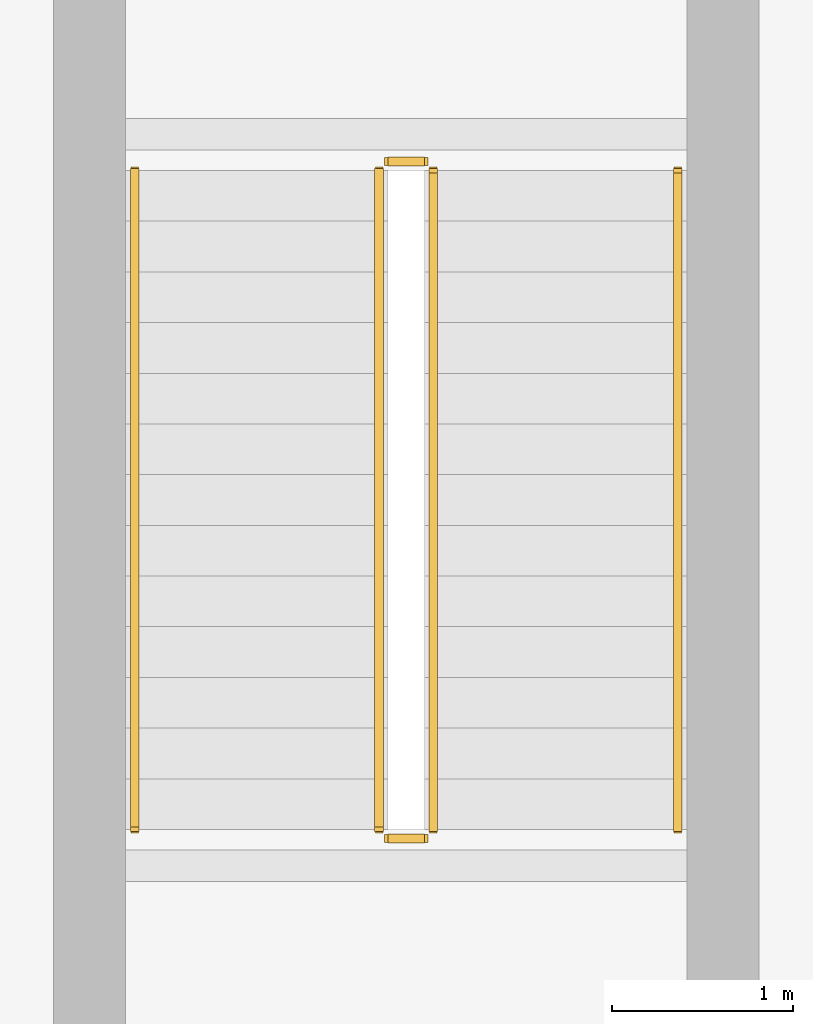
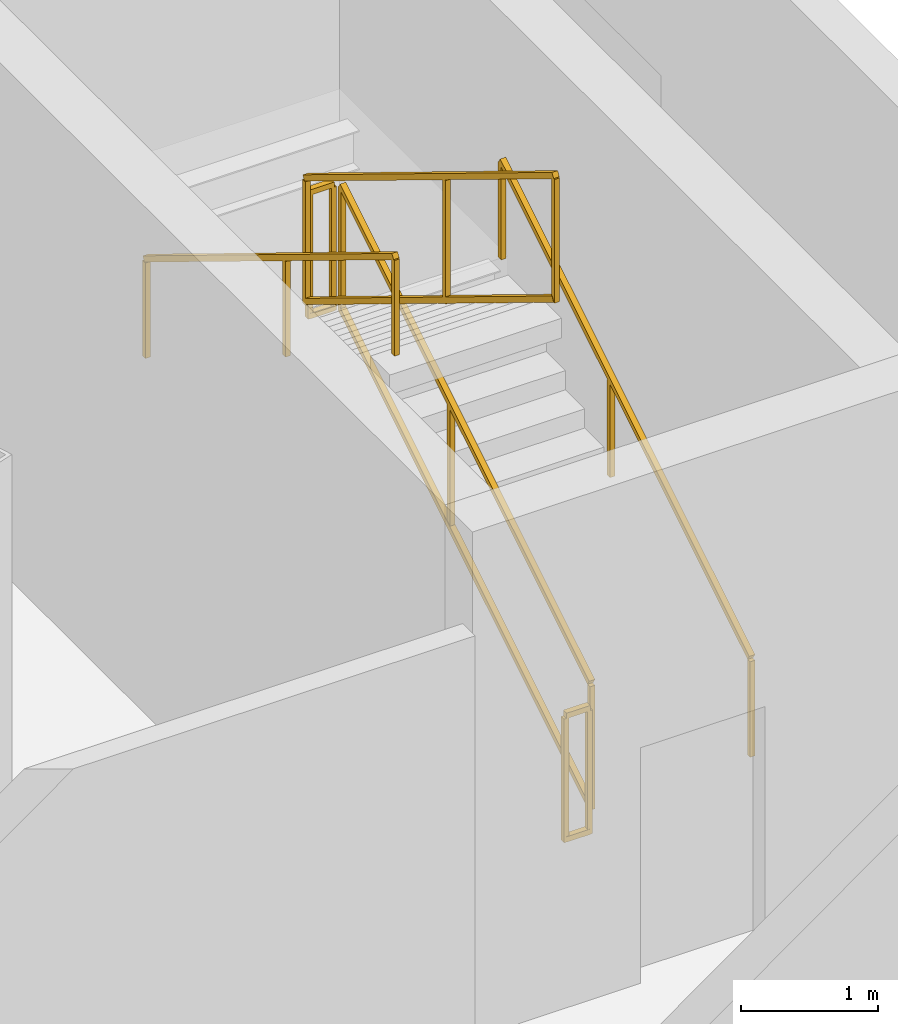
# One storey, part 41 of 42: 6 railings.
"""IFC4 building model written with IfcOpenShell, lengths in metres."""

from ifc_helpers import new_model, si_unit, direction, frame, origin, origin_2d, place, context, subcontext, project, spatial, rectangle, extrude, material, type_object, element, save


model = new_model("IFC4")

# Units and contexts
model_context = context("Model", 3, precision=1e-05, world=origin(), true_north=direction((0.0, 1.0)))
body_context = subcontext(model_context, "Body", "Model", "MODEL_VIEW")
ifc_project = project(units=[si_unit("LENGTHUNIT", "METRE"), si_unit("AREAUNIT", "SQUARE_METRE"), si_unit("VOLUMEUNIT", "CUBIC_METRE"), si_unit("PLANEANGLEUNIT", "RADIAN"), si_unit("MASSUNIT", "GRAM", prefix="KILO"), si_unit("THERMODYNAMICTEMPERATUREUNIT", "KELVIN"), si_unit("POWERUNIT", "WATT")], contexts=[model_context])

# Site, building, storey
site_placement = place(None, origin())
site = spatial("IfcSite", under=ifc_project, at=site_placement, CompositionType="ELEMENT")
building_placement = place(site_placement, origin())
building = spatial("IfcBuilding", under=site, at=building_placement, Name="Yunzhuo Pagoda Commons", CompositionType="ELEMENT")
storey_placement = place(building_placement, frame((0.0, 0.0, 4.800048828125)))
storey = spatial("IfcBuildingStorey", under=building, at=storey_placement, Name="L02", CompositionType="ELEMENT", Elevation=4.800048828125)

# Railings
ifc_material = material(Name="Anodized aluminium 6063-T6", Category="aluminium")
railing_type_1 = type_object("IfcRailingType", Name="GR-PS4 Podium Well Guardrail 1165", PredefinedType="GUARDRAIL", material=ifc_material)
railing_1_placement = place(storey_placement, frame((88.39990234375, 44.300048828125, 0.17138671875)))
element("IfcRailing", 1, at=railing_1_placement, inside=storey, type_object=railing_type_1, Name="L02 PS4 stair guard 1", PredefinedType="GUARDRAIL", context=body_context, shape_type="SweptSolid", body=[
    extrude(rectangle(XDim=0.048095703125, YDim=0.048095703125, at=origin_2d()), frame((0.0, 0.0, 1.1259765625), z_axis=(0.0, 0.852850264322, 0.5221555579), x_axis=(-1.0, 0.0, 0.0)), (0.0, 0.0, 1.0), 4.267822265625),
    extrude(rectangle(XDim=0.048095703125, YDim=0.048095703125, at=origin_2d()), frame((0.0, 0.0, 0.02392578125), z_axis=(0.0, 0.852850264322, 0.5221555579), x_axis=(-1.0, 0.0, 0.0)), (0.0, 0.0, 1.0), 4.267822265625),
    extrude(rectangle(XDim=0.0419921875, YDim=0.0419921875, at=origin_2d()), origin(), (0.0, 0.0, 1.0), 1.101806640625),
    extrude(rectangle(XDim=0.0419921875, YDim=0.0419921875, at=origin_2d()), frame((0.0, 2.046875, 1.253173828125)), (0.0, 0.0, 1.0), 1.101806640625),
    extrude(rectangle(XDim=0.0419921875, YDim=0.0419921875, at=origin_2d()), frame((0.0, 3.639892578125, 2.228515625)), (0.0, 0.0, 1.0), 1.101806640625),
])
railing_2_placement = place(storey_placement, frame((88.35009765625, 47.989990234375, 2.39990234375)))
element("IfcRailing", 2, at=railing_2_placement, inside=storey, type_object=railing_type_1, Name="L02 PS4 stair guard 2", PredefinedType="GUARDRAIL", context=body_context, shape_type="SweptSolid", body=[
    extrude(rectangle(XDim=0.048095703125, YDim=0.048095703125, at=origin_2d()), frame((0.0, 0.0, 1.1259765625), z_axis=(-1.0, 0.0, 0.0), x_axis=(0.0, -1.0, 0.0)), (0.0, 0.0, 1.0), 0.2001953125),
    extrude(rectangle(XDim=0.048095703125, YDim=0.048095703125, at=origin_2d()), frame((0.0, 0.0, 0.02392578125), z_axis=(-1.0, 0.0, 0.0), x_axis=(0.0, -1.0, 0.0)), (0.0, 0.0, 1.0), 0.2001953125),
    extrude(rectangle(XDim=0.0419921875, YDim=0.0419921875, at=origin_2d()), origin(), (0.0, 0.0, 1.0), 1.101806640625),
    extrude(rectangle(XDim=0.0419921875, YDim=0.0419921875, at=origin_2d()), frame((-0.2001953125, 0.0, 0.0)), (0.0, 0.0, 1.0), 1.101806640625),
])
railing_3_placement = place(storey_placement, frame((88.10009765625, 47.93994140625, 2.5712890625)))
element("IfcRailing", 3, at=railing_3_placement, inside=storey, type_object=railing_type_1, Name="L02 PS4 stair guard 3", PredefinedType="GUARDRAIL", context=body_context, shape_type="SweptSolid", body=[
    extrude(rectangle(XDim=0.048095703125, YDim=0.048095703125, at=origin_2d()), frame((0.0, 0.0, 1.1259765625), z_axis=(0.0, -0.852824790078, 0.522197163366), x_axis=(1.0, 0.0, 0.0)), (0.0, 0.0, 1.0), 4.26806640625),
    extrude(rectangle(XDim=0.048095703125, YDim=0.048095703125, at=origin_2d()), frame((0.0, 0.0, 0.02392578125), z_axis=(0.0, -0.852824790078, 0.522197163366), x_axis=(1.0, 0.0, 0.0)), (0.0, 0.0, 1.0), 4.26806640625),
    extrude(rectangle(XDim=0.0419921875, YDim=0.0419921875, at=origin_2d()), origin(), (0.0, 0.0, 1.0), 1.101806640625),
    extrude(rectangle(XDim=0.0419921875, YDim=0.0419921875, at=origin_2d()), frame((0.0, -2.046875, 1.253173828125)), (0.0, 0.0, 1.0), 1.101806640625),
    extrude(rectangle(XDim=0.0419921875, YDim=0.0419921875, at=origin_2d()), frame((0.0, -3.639892578125, 2.228759765625)), (0.0, 0.0, 1.0), 1.101806640625),
])
railing_4_placement = place(storey_placement, frame((88.35009765625, 44.25, 0.0)))
element("IfcRailing", 4, at=railing_4_placement, inside=storey, type_object=railing_type_1, Name="L02 PS4 stair guard 4", PredefinedType="GUARDRAIL", context=body_context, shape_type="SweptSolid", body=[
    extrude(rectangle(XDim=0.048095703125, YDim=0.048095703125, at=origin_2d()), frame((0.0, 0.0, 1.1259765625), z_axis=(-1.0, 0.0, 0.0), x_axis=(0.0, -1.0, 0.0)), (0.0, 0.0, 1.0), 0.2001953125),
    extrude(rectangle(XDim=0.048095703125, YDim=0.048095703125, at=origin_2d()), frame((0.0, 0.0, 0.02392578125), z_axis=(-1.0, 0.0, 0.0), x_axis=(0.0, -1.0, 0.0)), (0.0, 0.0, 1.0), 0.2001953125),
    extrude(rectangle(XDim=0.0419921875, YDim=0.0419921875, at=origin_2d()), origin(), (0.0, 0.0, 1.0), 1.101806640625),
    extrude(rectangle(XDim=0.0419921875, YDim=0.0419921875, at=origin_2d()), frame((-0.2001953125, 0.0, 0.0)), (0.0, 0.0, 1.0), 1.101806640625),
])
railing_type_2 = type_object("IfcRailingType", Name="HR-PS4 Podium Stair Handrail 900", PredefinedType="HANDRAIL", material=ifc_material)
railing_5_placement = place(storey_placement, frame((89.75, 44.300048828125, 0.17138671875)))
element("IfcRailing", 5, at=railing_5_placement, inside=storey, type_object=railing_type_2, Name="L02 PS4 stair handrail 1", PredefinedType="HANDRAIL", context=body_context, shape_type="SweptSolid", body=[
    extrude(rectangle(XDim=0.048095703125, YDim=0.048095703125, at=origin_2d()), frame((0.0, 0.0, 0.8759765625), z_axis=(0.0, 0.852850264322, 0.5221555579), x_axis=(-1.0, 0.0, 0.0)), (0.0, 0.0, 1.0), 4.267822265625),
    extrude(rectangle(XDim=0.0419921875, YDim=0.0419921875, at=origin_2d()), origin(), (0.0, 0.0, 1.0), 0.851806640625),
    extrude(rectangle(XDim=0.0419921875, YDim=0.0419921875, at=origin_2d()), frame((0.0, 2.046875, 1.253173828125)), (0.0, 0.0, 1.0), 0.851806640625),
    extrude(rectangle(XDim=0.0419921875, YDim=0.0419921875, at=origin_2d()), frame((0.0, 3.639892578125, 2.228515625)), (0.0, 0.0, 1.0), 0.851806640625),
])
railing_6_placement = place(storey_placement, frame((86.75, 47.93994140625, 2.5712890625)))
element("IfcRailing", 6, at=railing_6_placement, inside=storey, type_object=railing_type_2, Name="L02 PS4 stair handrail 2", PredefinedType="HANDRAIL", context=body_context, shape_type="SweptSolid", body=[
    extrude(rectangle(XDim=0.048095703125, YDim=0.048095703125, at=origin_2d()), frame((0.0, 0.0, 0.8759765625), z_axis=(0.0, -0.852824790078, 0.522197163366), x_axis=(1.0, 0.0, 0.0)), (0.0, 0.0, 1.0), 4.26806640625),
    extrude(rectangle(XDim=0.0419921875, YDim=0.0419921875, at=origin_2d()), origin(), (0.0, 0.0, 1.0), 0.851806640625),
    extrude(rectangle(XDim=0.0419921875, YDim=0.0419921875, at=origin_2d()), frame((0.0, -2.046875, 1.253173828125)), (0.0, 0.0, 1.0), 0.851806640625),
    extrude(rectangle(XDim=0.0419921875, YDim=0.0419921875, at=origin_2d()), frame((0.0, -3.639892578125, 2.228759765625)), (0.0, 0.0, 1.0), 0.851806640625),
])

save(model, "model.ifc")
